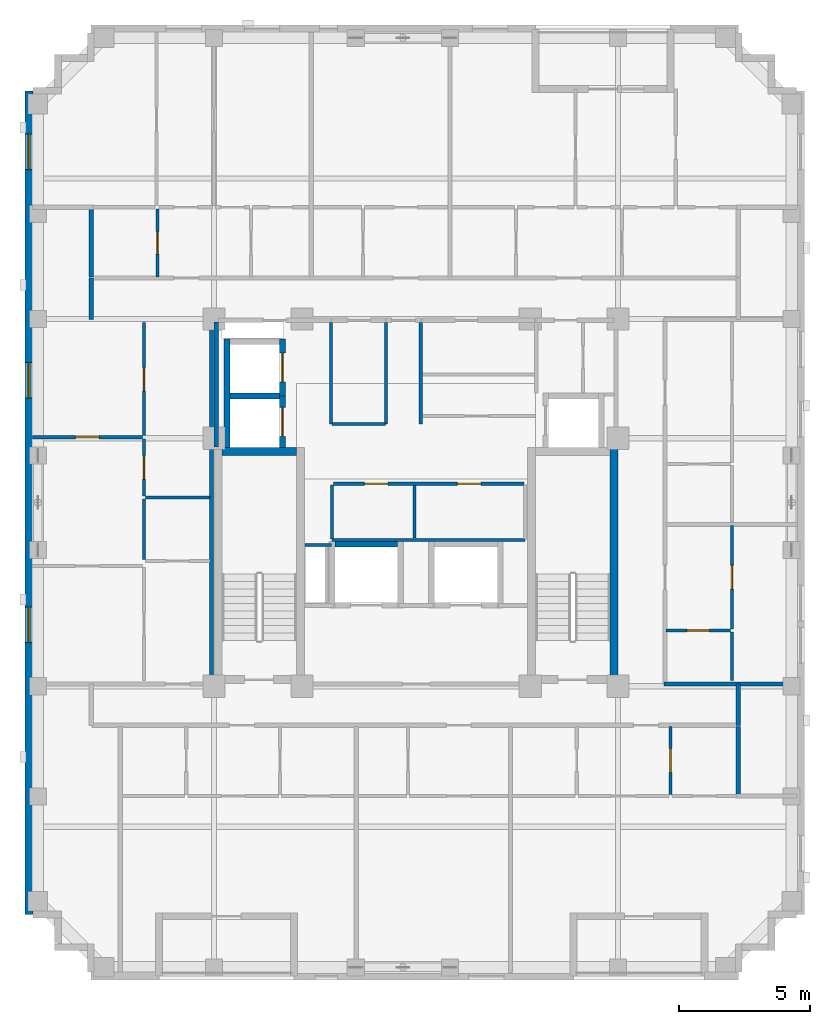
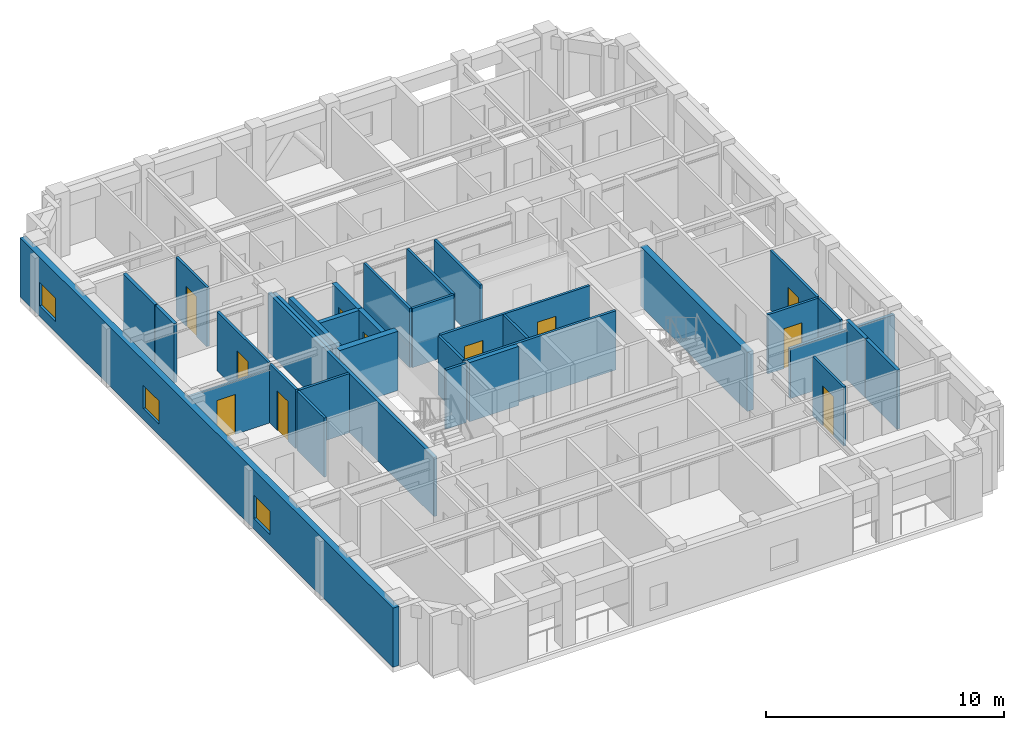
# One storey, part 4 of 11: 34 walls, 11 doors, 3 windows, 14 openings.
"""IFC4 building model written with IfcOpenShell, lengths in metres."""

from ifc_helpers import new_model, si_unit, derived_unit, direction, frame, frame_2d, origin, place, context, subcontext, project, spatial, rectangle, extrude, material, layer, layer_set, type_object, element, fill, save


model = new_model("IFC4")

# Units and contexts
model_context = context("Model", 3, precision=1e-05, world=origin(), true_north=direction((0.0, 1.0)))
body_context = subcontext(model_context, "Body", "Model", "MODEL_VIEW")
ifc_project = project(units=[si_unit("LENGTHUNIT", "METRE"), si_unit("AREAUNIT", "SQUARE_METRE"), si_unit("VOLUMEUNIT", "CUBIC_METRE"), si_unit("PLANEANGLEUNIT", "RADIAN"), si_unit("MASSUNIT", "GRAM", prefix="KILO"), derived_unit("THERMALTRANSMITTANCEUNIT", [(si_unit("MASSUNIT", "GRAM", prefix="KILO"), 1), (si_unit("TIMEUNIT", "SECOND"), -3), (si_unit("THERMODYNAMICTEMPERATUREUNIT", "KELVIN"), -1)])], contexts=[model_context])

# Site, building, storey
site_placement = place(None, origin())
site = spatial("IfcSite", under=ifc_project, at=site_placement, CompositionType="ELEMENT")
building_placement = place(site_placement, origin())
building = spatial("IfcBuilding", under=site, at=building_placement, Name="Korrvale Station Residences", CompositionType="ELEMENT")
storey_placement = place(building_placement, frame((0.0, 0.0, 214.0)))
storey = spatial("IfcBuildingStorey", under=building, at=storey_placement, Name="L62", CompositionType="ELEMENT", Elevation=214.0)

# Walls
ifc_material_1 = material(Name="Concrete C50/60", Category="concrete")
ifc_layer_1 = layer(ifc_material_1, 0.300048828125, Name="Concrete C50/60")
ifc_layer_set_1 = layer_set([ifc_layer_1], Name="Concrete C50/60")
wall_type_1 = type_object("IfcWallType", Name="WAL-CORE-300-C50", PredefinedType="SHEAR", material=ifc_layer_set_1)
wall_1_placement = place(storey_placement, frame((18.10009765625, 23.949951171875, 0.0), z_axis=(0.0, 0.0, 1.0), x_axis=(1.0, 0.0, 0.0)))
element("IfcWall", 1, at=wall_1_placement, inside=storey, type_object=wall_type_1, Name="L62 ST-1 Core Shear Wall North", PredefinedType="SHEAR", context=body_context, shape_type="SweptSolid", body=[
    extrude(rectangle(XDim=2.849853515625, YDim=0.300048828125, at=frame_2d((1.4248046875, 0.0))), origin(), (0.0, 0.0, 1.0), 3.0400390625),
])
wall_2_placement = place(storey_placement, frame((33.050048828125, 15.10009765625, 0.0), z_axis=(0.0, 0.0, 1.0), x_axis=(0.0, 1.0, 0.0)))
element("IfcWall", 2, at=wall_2_placement, inside=storey, type_object=wall_type_1, Name="L62 ST-2 Core Shear Wall East", PredefinedType="SHEAR", context=body_context, shape_type="SweptSolid", body=[
    extrude(rectangle(XDim=9.0, YDim=0.300048828125, at=frame_2d((4.5, 0.0))), origin(), (0.0, 0.0, 1.0), 3.0400390625),
])

# Wall, openings, windows
ifc_material_2 = material(Name="Precast concrete C45/55", Category="concrete")
ifc_layer_2 = layer(ifc_material_2, 0.300048828125, Name="Precast concrete C45/55")
ifc_layer_set_2 = layer_set([ifc_layer_2], Name="Precast concrete C45/55")
wall_type_2 = type_object("IfcWallType", Name="WAL-EXT-PC300", PredefinedType="SOLIDWALL", material=ifc_layer_set_2)
wall_3_placement = place(storey_placement, frame((10.75, 6.300048828125, 0.0), z_axis=(0.0, 0.0, 1.0), x_axis=(0.0, 1.0, 0.0)))
wall_3 = element("IfcWall", 3, at=wall_3_placement, inside=storey, type_object=wall_type_2, Name="L62 West Exterior Precast Wall 1", PredefinedType="SOLIDWALL", context=body_context, shape_type="SweptSolid", body=[
    extrude(rectangle(XDim=31.39990234375, YDim=0.300048828125, at=frame_2d((15.699951171875, 0.0))), origin(), (0.0, 0.0, 1.0), 3.0400390625),
])
opening_1_placement = place(wall_3_placement, frame((28.39599609375, 0.0, 0.550048828125)))
opening_1 = element("IfcOpeningElement", 4, at=opening_1_placement, cuts=wall_3, Name="Opening W-10", PredefinedType="OPENING", context=body_context, shape_type="SweptSolid", body=[
    extrude(rectangle(XDim=1.35009765625, YDim=1.199951171875, at=frame_2d((0.675048828125, 0.60009765625))), frame((0.0, 0.16015625, 0.0), z_axis=(0.0, -1.0, 0.0), x_axis=(1.0, 0.0, 0.0)), (0.0, 0.0, 1.0), 0.320068359375),
])
opening_2_placement = place(wall_3_placement, frame((10.366943359375, 0.0, 0.550048828125)))
opening_2 = element("IfcOpeningElement", 5, at=opening_2_placement, cuts=wall_3, Name="Opening W-10", PredefinedType="OPENING", context=body_context, shape_type="SweptSolid", body=[
    extrude(rectangle(XDim=1.35009765625, YDim=1.199951171875, at=frame_2d((0.675048828125, 0.60009765625))), frame((0.0, 0.16015625, 0.0), z_axis=(0.0, -1.0, 0.0), x_axis=(1.0, 0.0, 0.0)), (0.0, 0.0, 1.0), 0.320068359375),
])
opening_3_placement = place(wall_3_placement, frame((19.68310546875, 0.0, 0.550048828125)))
opening_3 = element("IfcOpeningElement", 6, at=opening_3_placement, cuts=wall_3, Name="Opening W-10", PredefinedType="OPENING", context=body_context, shape_type="SweptSolid", body=[
    extrude(rectangle(XDim=1.35009765625, YDim=1.199951171875, at=frame_2d((0.675048828125, 0.60009765625))), frame((0.0, 0.16015625, 0.0), z_axis=(0.0, -1.0, 0.0), x_axis=(1.0, 0.0, 0.0)), (0.0, 0.0, 1.0), 0.320068359375),
])
ifc_material_3 = material(Name="Thermally broken aluminium frame with triple low-e glazing", Category="aluminium")
window_type = type_object("IfcWindowType", Name="WIN-W10", PartitioningType="SINGLE_PANEL", PredefinedType="WINDOW", material=ifc_material_3)
window_1_placement = place(opening_1_placement, origin())
window_1 = element("IfcWindow", 7, at=window_1_placement, inside=storey, type_object=window_type, Name="L62 Punched Window 04", OverallHeight=1.199951171875, OverallWidth=1.35009765625, PartitioningType="SINGLE_PANEL", PredefinedType="WINDOW", context=body_context, shape_type="SweptSolid", body=[
    extrude(rectangle(XDim=1.35009765625, YDim=1.199951171875, at=frame_2d((0.675048828125, 0.60009765625))), frame((0.0, 0.030029296875, 0.0), z_axis=(0.0, -1.0, 0.0), x_axis=(1.0, 0.0, 0.0)), (0.0, 0.0, 1.0), 0.06005859375),
])
fill(opening_1, window_1)
window_2_placement = place(opening_2_placement, origin())
window_2 = element("IfcWindow", 8, at=window_2_placement, inside=storey, type_object=window_type, Name="L62 Punched Window 11", OverallHeight=1.199951171875, OverallWidth=1.35009765625, PartitioningType="SINGLE_PANEL", PredefinedType="WINDOW", context=body_context, shape_type="SweptSolid", body=[
    extrude(rectangle(XDim=1.35009765625, YDim=1.199951171875, at=frame_2d((0.675048828125, 0.60009765625))), frame((0.0, 0.030029296875, 0.0), z_axis=(0.0, -1.0, 0.0), x_axis=(1.0, 0.0, 0.0)), (0.0, 0.0, 1.0), 0.06005859375),
])
fill(opening_2, window_2)
window_3_placement = place(opening_3_placement, origin())
window_3 = element("IfcWindow", 9, at=window_3_placement, inside=storey, type_object=window_type, Name="L62 Punched Window 12", OverallHeight=1.199951171875, OverallWidth=1.35009765625, PartitioningType="SINGLE_PANEL", PredefinedType="WINDOW", context=body_context, shape_type="SweptSolid", body=[
    extrude(rectangle(XDim=1.35009765625, YDim=1.199951171875, at=frame_2d((0.675048828125, 0.60009765625))), frame((0.0, 0.030029296875, 0.0), z_axis=(0.0, -1.0, 0.0), x_axis=(1.0, 0.0, 0.0)), (0.0, 0.0, 1.0), 0.06005859375),
])
fill(opening_3, window_3)

# Walls
ifc_material_4 = material(Name="Acoustic steel-stud gypsum board partition", Category="steel")
ifc_layer_3 = layer(ifc_material_4, 0.1201171875, Name="Acoustic steel-stud gypsum board partition")
ifc_layer_set_3 = layer_set([ifc_layer_3], Name="Acoustic steel-stud gypsum board partition")
wall_type_3 = type_object("IfcWallType", Name="WAL-PART-125", PredefinedType="PARTITIONING", material=ifc_layer_set_3)
wall_4_placement = place(storey_placement, frame((22.280029296875, 20.3798828125, 0.0), z_axis=(0.0, 0.0, 1.0), x_axis=(-1.0, 0.0, 0.0)))
element("IfcWall", 10, at=wall_4_placement, inside=storey, type_object=wall_type_3, Name="L62 Core Partition CW-RSWT-N", PredefinedType="PARTITIONING", context=body_context, shape_type="SweptSolid", body=[
    extrude(rectangle(XDim=1.02001953125, YDim=0.1201171875, at=frame_2d((0.510009765625, 0.0))), origin(), (0.0, 0.0, 1.0), 3.0400390625),
])
for number, where, z_axis, x_axis, name in (
    (11, (24.360107421875, 25.0, 0.0), (0.0, 0.0, 1.0), (0.0, 1.0, 0.0), "L62 Core Partition CW-PSG-W"),
    (12, (25.679931640625, 25.0, 0.0), (0.0, 0.0, 1.0), (0.0, 1.0, 0.0), "L62 Core Partition CW-PSG-E"),
):
    element("IfcWall", number, at=place(storey_placement, frame(where, z_axis=z_axis, x_axis=x_axis)), inside=storey, type_object=wall_type_3, Name=name, PredefinedType="PARTITIONING", context=body_context, shape_type="SweptSolid", body=[
        extrude(rectangle(XDim=3.8701171875, YDim=0.1201171875, at=frame_2d((1.93505859375, 0.0))), origin(), (0.0, 0.0, 1.0), 3.0400390625),
    ])
wall_5_placement = place(storey_placement, frame((22.260009765625, 25.0, 0.0), z_axis=(0.0, 0.0, 1.0), x_axis=(0.0, 1.0, 0.0)))
element("IfcWall", 13, at=wall_5_placement, inside=storey, type_object=wall_type_3, Name="L62 Core Partition CW-FPLW-W", PredefinedType="PARTITIONING", context=body_context, shape_type="SweptSolid", body=[
    extrude(rectangle(XDim=3.860107421875, YDim=0.1201171875, at=frame_2d((1.93017578125, 0.0))), origin(), (0.0, 0.0, 1.0), 3.0400390625),
])
wall_6_placement = place(storey_placement, frame((22.300048828125, 25.0, 0.0), z_axis=(0.0, 0.0, 1.0), x_axis=(1.0, 0.0, 0.0)))
element("IfcWall", 14, at=wall_6_placement, inside=storey, type_object=wall_type_3, Name="L62 Core Partition CW-FPLW-S", PredefinedType="PARTITIONING", context=body_context, shape_type="SweptSolid", body=[
    extrude(rectangle(XDim=2.0400390625, YDim=0.1201171875, at=frame_2d((1.02001953125, 0.0))), origin(), (0.0, 0.0, 1.0), 3.0400390625),
])
wall_7_placement = place(storey_placement, frame((22.300048828125, 20.580078125, 0.0), z_axis=(0.0, 0.0, 1.0), x_axis=(1.0, 0.0, 0.0)))
element("IfcWall", 15, at=wall_7_placement, inside=storey, type_object=wall_type_3, Name="L62 Core Partition CW-FPM-S", PredefinedType="PARTITIONING", context=body_context, shape_type="SweptSolid", body=[
    extrude(rectangle(XDim=7.349853515625, YDim=0.1201171875, at=frame_2d((3.6748046875, 0.0))), origin(), (0.0, 0.0, 1.0), 3.0400390625),
])
wall_8_placement = place(storey_placement, frame((22.300048828125, 20.6201171875, 0.0), z_axis=(0.0, 0.0, 1.0), x_axis=(0.0, 1.0, 0.0)))
element("IfcWall", 16, at=wall_8_placement, inside=storey, type_object=wall_type_3, Name="L62 Core Partition CW-FPM-W", PredefinedType="PARTITIONING", context=body_context, shape_type="SweptSolid", body=[
    extrude(rectangle(XDim=2.059814453125, YDim=0.1201171875, at=frame_2d((1.02978515625, 0.0))), origin(), (0.0, 0.0, 1.0), 3.0400390625),
])
wall_9_placement = place(storey_placement, frame((25.43994140625, 20.64990234375, 0.0), z_axis=(0.0, 0.0, 1.0), x_axis=(0.0, 1.0, 0.0)))
element("IfcWall", 17, at=wall_9_placement, inside=storey, type_object=wall_type_3, Name="L62 Core Partition CW-FPM-M", PredefinedType="PARTITIONING", context=body_context, shape_type="SweptSolid", body=[
    extrude(rectangle(XDim=2.0, YDim=0.1201171875, at=frame_2d((1.0, 0.0))), origin(), (0.0, 0.0, 1.0), 3.0400390625),
])

# Wall, openings, doors
wall_10_placement = place(storey_placement, frame((22.35009765625, 22.719970703125, 0.0), z_axis=(0.0, 0.0, 1.0), x_axis=(1.0, 0.0, 0.0)))
wall_10 = element("IfcWall", 18, at=wall_10_placement, inside=storey, type_object=wall_type_3, Name="L62 Core Partition CW-FPM-N", PredefinedType="PARTITIONING", context=body_context, shape_type="SweptSolid", body=[
    extrude(rectangle(XDim=7.27001953125, YDim=0.1201171875, at=frame_2d((3.635009765625, 0.0))), origin(), (0.0, 0.0, 1.0), 3.0400390625),
])
opening_4_placement = place(wall_10_placement, frame((1.175048828125, 0.0, 0.0)))
opening_4 = element("IfcOpeningElement", 19, at=opening_4_placement, cuts=wall_10, Name="Opening DI-900", PredefinedType="OPENING", context=body_context, shape_type="SweptSolid", body=[
    extrude(rectangle(XDim=0.89990234375, YDim=2.050048828125, at=frame_2d((0.449951171875, 1.02490234375))), frame((0.0, 0.070068359375, 0.0), z_axis=(0.0, -1.0, 0.0), x_axis=(1.0, 0.0, 0.0)), (0.0, 0.0, 1.0), 0.14013671875),
])
opening_5_placement = place(wall_10_placement, frame((4.72509765625, 0.0, 0.0)))
opening_5 = element("IfcOpeningElement", 20, at=opening_5_placement, cuts=wall_10, Name="Opening DI-900", PredefinedType="OPENING", context=body_context, shape_type="SweptSolid", body=[
    extrude(rectangle(XDim=0.89990234375, YDim=2.050048828125, at=frame_2d((0.449951171875, 1.02490234375))), frame((0.0, 0.070068359375, 0.0), z_axis=(0.0, -1.0, 0.0), x_axis=(1.0, 0.0, 0.0)), (0.0, 0.0, 1.0), 0.14013671875),
])
ifc_material_5 = material(Name="Painted solid-core timber interior room door", Category="wood")
door_type_1 = type_object("IfcDoorType", Name="DR-INT-900", OperationType="NOTDEFINED", PredefinedType="DOOR", material=ifc_material_5)
door_1_placement = place(opening_4_placement, origin())
door_1 = element("IfcDoor", 21, at=door_1_placement, inside=storey, type_object=door_type_1, Name="L62 Sky Pantry Door", OperationType="SINGLE_SWING_LEFT", OverallHeight=2.050048828125, OverallWidth=0.89990234375, PredefinedType="DOOR", context=body_context, shape_type="SweptSolid", body=[
    extrude(rectangle(XDim=0.89990234375, YDim=2.050048828125, at=frame_2d((0.449951171875, 1.02490234375))), frame((0.0, 0.02490234375, 0.0), z_axis=(0.0, -1.0, 0.0), x_axis=(1.0, 0.0, 0.0)), (0.0, 0.0, 1.0), 0.050048828125),
])
fill(opening_4, door_1)
door_2_placement = place(opening_5_placement, origin())
door_2 = element("IfcDoor", 22, at=door_2_placement, inside=storey, type_object=door_type_1, Name="L62 Concierge Supply Door", OperationType="SINGLE_SWING_RIGHT", OverallHeight=2.050048828125, OverallWidth=0.89990234375, PredefinedType="DOOR", context=body_context, shape_type="SweptSolid", body=[
    extrude(rectangle(XDim=0.89990234375, YDim=2.050048828125, at=frame_2d((0.449951171875, 1.02490234375))), frame((0.0, 0.02490234375, 0.0), z_axis=(0.0, -1.0, 0.0), x_axis=(1.0, 0.0, 0.0)), (0.0, 0.0, 1.0), 0.050048828125),
])
fill(opening_5, door_2)

# Wall, opening, door
wall_11_placement = place(storey_placement, frame((35.195068359375, 10.8701171875, 0.0), z_axis=(0.0, 0.0, 1.0), x_axis=(0.0, 1.0, 0.0)))
wall_11 = element("IfcWall", 23, at=wall_11_placement, inside=storey, type_object=wall_type_3, Name="L62 Suite Partition U03-V12", PredefinedType="PARTITIONING", context=body_context, shape_type="SweptSolid", body=[
    extrude(rectangle(XDim=2.599853515625, YDim=0.1201171875, at=frame_2d((1.2998046875, 0.0))), origin(), (0.0, 0.0, 1.0), 3.0400390625),
])
opening_6_placement = place(wall_11_placement, frame((0.85009765625, 0.0, 0.0)))
opening_6 = element("IfcOpeningElement", 24, at=opening_6_placement, cuts=wall_11, Name="Opening DI-900", PredefinedType="OPENING", context=body_context, shape_type="SweptSolid", body=[
    extrude(rectangle(XDim=0.89990234375, YDim=2.050048828125, at=frame_2d((0.449951171875, 1.02490234375))), frame((0.0, 0.070068359375, 0.0), z_axis=(0.0, -1.0, 0.0), x_axis=(1.0, 0.0, 0.0)), (0.0, 0.0, 1.0), 0.14013671875),
])
door_3_placement = place(opening_6_placement, origin())
door_3 = element("IfcDoor", 25, at=door_3_placement, inside=storey, type_object=door_type_1, Name="L62 Studio Apartment L62-U03 Kitchen Door", OperationType="SINGLE_SWING_RIGHT", OverallHeight=2.050048828125, OverallWidth=0.89990234375, PredefinedType="DOOR", context=body_context, shape_type="SweptSolid", body=[
    extrude(rectangle(XDim=0.89990234375, YDim=2.050048828125, at=frame_2d((0.449951171875, 1.02490234375))), frame((0.0, 0.02490234375, 0.0), z_axis=(0.0, -1.0, 0.0), x_axis=(1.0, 0.0, 0.0)), (0.0, 0.0, 1.0), 0.050048828125),
])
fill(opening_6, door_3)

wall_12_placement = place(storey_placement, frame((15.639892578125, 30.60009765625, 0.0), z_axis=(0.0, 0.0, 1.0), x_axis=(0.0, 1.0, 0.0)))
wall_12 = element("IfcWall", 26, at=wall_12_placement, inside=storey, type_object=wall_type_3, Name="L62 Suite Partition U04-V01", PredefinedType="PARTITIONING", context=body_context, shape_type="SweptSolid", body=[
    extrude(rectangle(XDim=2.599853515625, YDim=0.1201171875, at=frame_2d((1.2998046875, 0.0))), origin(), (0.0, 0.0, 1.0), 3.0400390625),
])
opening_7_placement = place(wall_12_placement, frame((0.8701171875, 0.0, 0.0)))
opening_7 = element("IfcOpeningElement", 27, at=opening_7_placement, cuts=wall_12, Name="Opening DB-860", PredefinedType="OPENING", context=body_context, shape_type="SweptSolid", body=[
    extrude(rectangle(XDim=0.860107421875, YDim=2.050048828125, at=frame_2d((0.43017578125, 1.02490234375))), frame((0.0, 0.070068359375, 0.0), z_axis=(0.0, -1.0, 0.0), x_axis=(1.0, 0.0, 0.0)), (0.0, 0.0, 1.0), 0.14013671875),
])
ifc_material_6 = material(Name="Moisture-resistant solid-core bathroom door", Category="timber")
door_type_2 = type_object("IfcDoorType", Name="DR-BATH-860", OperationType="NOTDEFINED", PredefinedType="DOOR", material=ifc_material_6)
door_4_placement = place(opening_7_placement, origin())
door_4 = element("IfcDoor", 28, at=door_4_placement, inside=storey, type_object=door_type_2, Name="L62 Apartment 2BR L62-U04 Bathroom Door", OperationType="SINGLE_SWING_LEFT", OverallHeight=2.050048828125, OverallWidth=0.860107421875, PredefinedType="DOOR", context=body_context, shape_type="SweptSolid", body=[
    extrude(rectangle(XDim=0.860107421875, YDim=2.050048828125, at=frame_2d((0.43017578125, 1.02490234375))), frame((0.0, 0.02490234375, 0.0), z_axis=(0.0, -1.0, 0.0), x_axis=(1.0, 0.0, 0.0)), (0.0, 0.0, 1.0), 0.050048828125),
])
fill(opening_7, door_4)

# Wall
wall_13_placement = place(storey_placement, frame((15.18994140625, 22.18994140625, 0.0), z_axis=(0.0, 0.0, 1.0), x_axis=(1.0, 0.0, 0.0)))
element("IfcWall", 29, at=wall_13_placement, inside=storey, type_object=wall_type_3, Name="L62 Suite Partition U07-H01", PredefinedType="PARTITIONING", context=body_context, shape_type="SweptSolid", body=[
    extrude(rectangle(XDim=2.449951171875, YDim=0.1201171875, at=frame_2d((1.22509765625, 0.0))), origin(), (0.0, 0.0, 1.0), 3.0400390625),
])

# Wall, opening, door
wall_14_placement = place(storey_placement, frame((15.1298828125, 22.25, 0.0), z_axis=(0.0, 0.0, 1.0), x_axis=(0.0, 1.0, 0.0)))
wall_14 = element("IfcWall", 30, at=wall_14_placement, inside=storey, type_object=wall_type_3, Name="L62 Suite Partition U07-V04", PredefinedType="PARTITIONING", context=body_context, shape_type="SweptSolid", body=[
    extrude(rectangle(XDim=2.181884765625, YDim=0.1201171875, at=frame_2d((1.0908203125, 0.0))), origin(), (0.0, 0.0, 1.0), 3.0400390625),
])
opening_8_placement = place(wall_14_placement, frame((0.64111328125, 0.0, 0.0)))
opening_8 = element("IfcOpeningElement", 31, at=opening_8_placement, cuts=wall_14, Name="Opening DI-900", PredefinedType="OPENING", context=body_context, shape_type="SweptSolid", body=[
    extrude(rectangle(XDim=0.89990234375, YDim=2.050048828125, at=frame_2d((0.449951171875, 1.02490234375))), frame((0.0, 0.070068359375, 0.0), z_axis=(0.0, -1.0, 0.0), x_axis=(1.0, 0.0, 0.0)), (0.0, 0.0, 1.0), 0.14013671875),
])
door_5_placement = place(opening_8_placement, origin())
door_5 = element("IfcDoor", 32, at=door_5_placement, inside=storey, type_object=door_type_1, Name="L62 Apartment 2BR L62-U07 Wardrobe Storage Room Door", OperationType="SINGLE_SWING_LEFT", OverallHeight=2.050048828125, OverallWidth=0.89990234375, PredefinedType="DOOR", context=body_context, shape_type="SweptSolid", body=[
    extrude(rectangle(XDim=0.89990234375, YDim=2.050048828125, at=frame_2d((0.449951171875, 1.02490234375))), frame((0.0, 0.02490234375, 0.0), z_axis=(0.0, -1.0, 0.0), x_axis=(1.0, 0.0, 0.0)), (0.0, 0.0, 1.0), 0.050048828125),
])
fill(opening_8, door_5)

wall_15_placement = place(storey_placement, frame((15.1298828125, 24.552001953125, 0.0), z_axis=(0.0, 0.0, 1.0), x_axis=(0.0, 1.0, 0.0)))
wall_15 = element("IfcWall", 33, at=wall_15_placement, inside=storey, type_object=wall_type_3, Name="L62 Suite Partition U07-V05", PredefinedType="PARTITIONING", context=body_context, shape_type="SweptSolid", body=[
    extrude(rectangle(XDim=4.30810546875, YDim=0.1201171875, at=frame_2d((2.154052734375, 0.0))), origin(), (0.0, 0.0, 1.0), 3.0400390625),
])
opening_9_placement = place(wall_15_placement, frame((1.7041015625, 0.0, 0.0)))
opening_9 = element("IfcOpeningElement", 34, at=opening_9_placement, cuts=wall_15, Name="Opening DI-900", PredefinedType="OPENING", context=body_context, shape_type="SweptSolid", body=[
    extrude(rectangle(XDim=0.89990234375, YDim=2.050048828125, at=frame_2d((0.449951171875, 1.02490234375))), frame((0.0, 0.070068359375, 0.0), z_axis=(0.0, -1.0, 0.0), x_axis=(1.0, 0.0, 0.0)), (0.0, 0.0, 1.0), 0.14013671875),
])
door_6_placement = place(opening_9_placement, origin())
door_6 = element("IfcDoor", 35, at=door_6_placement, inside=storey, type_object=door_type_1, Name="L62 Apartment 2BR L62-U07 Wardrobe Storage Room Door", OperationType="SINGLE_SWING_RIGHT", OverallHeight=2.050048828125, OverallWidth=0.89990234375, PredefinedType="DOOR", context=body_context, shape_type="SweptSolid", body=[
    extrude(rectangle(XDim=0.89990234375, YDim=2.050048828125, at=frame_2d((0.449951171875, 1.02490234375))), frame((0.0, 0.02490234375, 0.0), z_axis=(0.0, -1.0, 0.0), x_axis=(1.0, 0.0, 0.0)), (0.0, 0.0, 1.0), 0.050048828125),
])
fill(opening_9, door_6)

# Wall
wall_16_placement = place(storey_placement, frame((15.1298828125, 19.830078125, 0.0), z_axis=(0.0, 0.0, 1.0), x_axis=(0.0, 1.0, 0.0)))
element("IfcWall", 36, at=wall_16_placement, inside=storey, type_object=wall_type_3, Name="L62 Suite Partition U07-V14", PredefinedType="PARTITIONING", context=body_context, shape_type="SweptSolid", body=[
    extrude(rectangle(XDim=2.2998046875, YDim=0.1201171875, at=frame_2d((1.14990234375, 0.0))), origin(), (0.0, 0.0, 1.0), 3.0400390625),
])

# Wall, opening, door
wall_17_placement = place(storey_placement, frame((10.8798828125, 24.491943359375, 0.0), z_axis=(0.0, 0.0, 1.0), x_axis=(1.0, 0.0, 0.0)))
wall_17 = element("IfcWall", 37, at=wall_17_placement, inside=storey, type_object=wall_type_3, Name="L62 Suite Partition U07-H45", PredefinedType="PARTITIONING", context=body_context, shape_type="SweptSolid", body=[
    extrude(rectangle(XDim=4.190185546875, YDim=0.1201171875, at=frame_2d((2.09521484375, 0.0))), origin(), (0.0, 0.0, 1.0), 2.721923828125),
])
opening_10_placement = place(wall_17_placement, frame((1.6298828125, 0.0, 0.0)))
opening_10 = element("IfcOpeningElement", 38, at=opening_10_placement, cuts=wall_17, Name="Opening DI-900", PredefinedType="OPENING", context=body_context, shape_type="SweptSolid", body=[
    extrude(rectangle(XDim=0.89990234375, YDim=2.050048828125, at=frame_2d((0.449951171875, 1.02490234375))), frame((0.0, 0.070068359375, 0.0), z_axis=(0.0, -1.0, 0.0), x_axis=(1.0, 0.0, 0.0)), (0.0, 0.0, 1.0), 0.14013671875),
])
door_7_placement = place(opening_10_placement, origin())
door_7 = element("IfcDoor", 39, at=door_7_placement, inside=storey, type_object=door_type_1, Name="L62 Apartment 2BR L62-U07 Living and Dining Room Door", OperationType="SINGLE_SWING_RIGHT", OverallHeight=2.050048828125, OverallWidth=0.89990234375, PredefinedType="DOOR", context=body_context, shape_type="SweptSolid", body=[
    extrude(rectangle(XDim=0.89990234375, YDim=2.050048828125, at=frame_2d((0.449951171875, 1.02490234375))), frame((0.0, 0.02490234375, 0.0), z_axis=(0.0, -1.0, 0.0), x_axis=(1.0, 0.0, 0.0)), (0.0, 0.0, 1.0), 0.050048828125),
])
fill(opening_10, door_7)

wall_18_placement = place(storey_placement, frame((35.030029296875, 17.1201171875, 0.0), z_axis=(0.0, 0.0, 1.0), x_axis=(1.0, 0.0, 0.0)))
wall_18 = element("IfcWall", 40, at=wall_18_placement, inside=storey, type_object=wall_type_3, Name="L62 Suite Partition U08-H01", PredefinedType="PARTITIONING", context=body_context, shape_type="SweptSolid", body=[
    extrude(rectangle(XDim=2.449951171875, YDim=0.1201171875, at=frame_2d((1.22509765625, 0.0))), origin(), (0.0, 0.0, 1.0), 3.0400390625),
])
opening_11_placement = place(wall_18_placement, frame((0.794921875, 0.0, 0.0)))
opening_11 = element("IfcOpeningElement", 41, at=opening_11_placement, cuts=wall_18, Name="Opening DB-860", PredefinedType="OPENING", context=body_context, shape_type="SweptSolid", body=[
    extrude(rectangle(XDim=0.860107421875, YDim=2.050048828125, at=frame_2d((0.43017578125, 1.02490234375))), frame((0.0, 0.070068359375, 0.0), z_axis=(0.0, -1.0, 0.0), x_axis=(1.0, 0.0, 0.0)), (0.0, 0.0, 1.0), 0.14013671875),
])
door_8_placement = place(opening_11_placement, origin())
door_8 = element("IfcDoor", 42, at=door_8_placement, inside=storey, type_object=door_type_2, Name="L62 Apartment 1BR L62-U08 Bathroom Door", OperationType="SINGLE_SWING_LEFT", OverallHeight=2.050048828125, OverallWidth=0.860107421875, PredefinedType="DOOR", context=body_context, shape_type="SweptSolid", body=[
    extrude(rectangle(XDim=0.860107421875, YDim=2.050048828125, at=frame_2d((0.43017578125, 1.02490234375))), frame((0.0, 0.02490234375, 0.0), z_axis=(0.0, -1.0, 0.0), x_axis=(1.0, 0.0, 0.0)), (0.0, 0.0, 1.0), 0.050048828125),
])
fill(opening_11, door_8)

# Wall
wall_19_placement = place(storey_placement, frame((37.5400390625, 15.2099609375, 0.0), z_axis=(0.0, 0.0, 1.0), x_axis=(0.0, 1.0, 0.0)))
element("IfcWall", 43, at=wall_19_placement, inside=storey, type_object=wall_type_3, Name="L62 Suite Partition U08-V02", PredefinedType="PARTITIONING", context=body_context, shape_type="SweptSolid", body=[
    extrude(rectangle(XDim=1.85009765625, YDim=0.1201171875, at=frame_2d((0.925048828125, 0.0))), origin(), (0.0, 0.0, 1.0), 3.0400390625),
])

# Wall, opening, door
wall_20_placement = place(storey_placement, frame((37.5400390625, 17.179931640625, 0.0), z_axis=(0.0, 0.0, 1.0), x_axis=(0.0, 1.0, 0.0)))
wall_20 = element("IfcWall", 44, at=wall_20_placement, inside=storey, type_object=wall_type_3, Name="L62 Suite Partition U08-V12", PredefinedType="PARTITIONING", context=body_context, shape_type="SweptSolid", body=[
    extrude(rectangle(XDim=3.946044921875, YDim=0.1201171875, at=frame_2d((1.97314453125, 0.0))), origin(), (0.0, 0.0, 1.0), 3.0400390625),
])
opening_12_placement = place(wall_20_placement, frame((1.52294921875, 0.0, 0.0)))
opening_12 = element("IfcOpeningElement", 45, at=opening_12_placement, cuts=wall_20, Name="Opening DI-900", PredefinedType="OPENING", context=body_context, shape_type="SweptSolid", body=[
    extrude(rectangle(XDim=0.89990234375, YDim=2.050048828125, at=frame_2d((0.449951171875, 1.02490234375))), frame((0.0, 0.070068359375, 0.0), z_axis=(0.0, -1.0, 0.0), x_axis=(1.0, 0.0, 0.0)), (0.0, 0.0, 1.0), 0.14013671875),
])
door_9_placement = place(opening_12_placement, origin())
door_9 = element("IfcDoor", 46, at=door_9_placement, inside=storey, type_object=door_type_1, Name="L62 Apartment 1BR L62-U08 Kitchen Door", OperationType="SINGLE_SWING_RIGHT", OverallHeight=2.050048828125, OverallWidth=0.89990234375, PredefinedType="DOOR", context=body_context, shape_type="SweptSolid", body=[
    extrude(rectangle(XDim=0.89990234375, YDim=2.050048828125, at=frame_2d((0.449951171875, 1.02490234375))), frame((0.0, 0.02490234375, 0.0), z_axis=(0.0, -1.0, 0.0), x_axis=(1.0, 0.0, 0.0)), (0.0, 0.0, 1.0), 0.050048828125),
])
fill(opening_12, door_9)

# Walls
ifc_material_7 = material(Name="Fire-rated twin-stud gypsum and mineral wool shaftwall assembly", Category="gypsum")
ifc_layer_4 = layer(ifc_material_7, 0.159912109375, Name="Fire-rated twin-stud gypsum and mineral wool shaftwall assembly")
ifc_layer_set_4 = layer_set([ifc_layer_4], Name="Fire-rated twin-stud gypsum and mineral wool shaftwall assembly")
wall_type_4 = type_object("IfcWallType", Name="WAL-PART-200", PredefinedType="PARTITIONING", material=ifc_layer_set_4)
wall_21_placement = place(storey_placement, frame((17.8798828125, 24.1201171875, 0.0), z_axis=(0.0, 0.0, 1.0), x_axis=(0.0, 1.0, 0.0)))
element("IfcWall", 47, at=wall_21_placement, inside=storey, type_object=wall_type_4, Name="L62 Core Partition CW-W-N", PredefinedType="PARTITIONING", context=body_context, shape_type="SweptSolid", body=[
    extrude(rectangle(XDim=4.759765625, YDim=0.159912109375, at=frame_2d((2.3798828125, 0.0))), origin(), (0.0, 0.0, 1.0), 3.0400390625),
])
for number, where, z_axis, x_axis, name in (
    (48, (37.780029296875, 13.510009765625, 0.0), (0.0, 0.0, 1.0), (0.0, 1.0, 0.0), "L62 Corridor South East Cap"),
    (49, (13.1201171875, 28.97998046875, 0.0), (0.0, 0.0, 1.0), (0.0, 1.0, 0.0), "L62 Corridor North West Cap"),
):
    element("IfcWall", number, at=place(storey_placement, frame(where, z_axis=z_axis, x_axis=x_axis)), inside=storey, type_object=wall_type_4, Name=name, PredefinedType="PARTITIONING", context=body_context, shape_type="SweptSolid", body=[
        extrude(rectangle(XDim=1.580078125, YDim=0.159912109375, at=frame_2d((0.7900390625, 0.0))), origin(), (0.0, 0.0, 1.0), 3.0400390625),
    ])
wall_22_placement = place(storey_placement, frame((34.949951171875, 15.090087890625, 0.0), z_axis=(0.0, 0.0, 1.0), x_axis=(1.0, 0.0, 0.0)))
element("IfcWall", 50, at=wall_22_placement, inside=storey, type_object=wall_type_4, Name="L62 East Wing South Corridor Wall", PredefinedType="PARTITIONING", context=body_context, shape_type="SweptSolid", body=[
    extrude(rectangle(XDim=5.070068359375, YDim=0.159912109375, at=frame_2d((2.53515625, 0.0))), origin(), (0.0, 0.0, 1.0), 2.555908203125),
])
for number, where, z_axis, x_axis, name in (
    (51, (37.780029296875, 10.81005859375, 0.0), (0.0, 0.0, 1.0), (0.0, 1.0, 0.0), "L62 Corner Step Cheek U03-R"),
    (52, (13.1201171875, 30.60009765625, 0.0), (0.0, 0.0, 1.0), (0.0, 1.0, 0.0), "L62 Corner Step Cheek U04-L"),
):
    element("IfcWall", number, at=place(storey_placement, frame(where, z_axis=z_axis, x_axis=x_axis)), inside=storey, type_object=wall_type_4, Name=name, PredefinedType="PARTITIONING", context=body_context, shape_type="SweptSolid", body=[
        extrude(rectangle(XDim=2.659912109375, YDim=0.159912109375, at=frame_2d((1.330078125, 0.0))), origin(), (0.0, 0.0, 1.0), 3.0400390625),
    ])
wall_23_placement = place(storey_placement, frame((17.699951171875, 15.02001953125, 0.0), z_axis=(0.0, 0.0, 1.0), x_axis=(0.0, 1.0, 0.0)))
element("IfcWall", 53, at=wall_23_placement, inside=storey, type_object=wall_type_4, Name="L62 Rated Corridor Wall W", PredefinedType="PARTITIONING", context=body_context, shape_type="SweptSolid", body=[
    extrude(rectangle(XDim=13.97998046875, YDim=0.159912109375, at=frame_2d((6.989990234375, 0.0))), origin(), (0.0, 0.0, 1.0), 3.0400390625),
])
ifc_layer_5 = layer(ifc_material_1, 0.219970703125, Name="Concrete C50/60")
ifc_layer_set_5 = layer_set([ifc_layer_5], Name="Concrete C50/60")
wall_type_5 = type_object("IfcWallType", Name="WAL-SHAFT-220-C50", PredefinedType="SHEAR", material=ifc_layer_set_5)
wall_24_placement = place(storey_placement, frame((18.2900390625, 24.10009765625, 0.0), z_axis=(0.0, 0.0, 1.0), x_axis=(0.0, 1.0, 0.0)))
element("IfcWall", 54, at=wall_24_placement, inside=storey, type_object=wall_type_5, Name="L62 Elevator PH-1 Hoistway Wall West", PredefinedType="SHEAR", context=body_context, shape_type="SweptSolid", body=[
    extrude(rectangle(XDim=4.139892578125, YDim=0.219970703125, at=frame_2d((2.06982421875, 0.0))), origin(), (0.0, 0.0, 1.0), 3.0400390625),
])

# Wall, opening, door
wall_25_placement = place(storey_placement, frame((20.409912109375, 24.10009765625, 0.0), z_axis=(0.0, 0.0, 1.0), x_axis=(0.0, 1.0, 0.0)))
wall_25 = element("IfcWall", 55, at=wall_25_placement, inside=storey, type_object=wall_type_5, Name="L62 Elevator PH-1 Hoistway Wall East", PredefinedType="SHEAR", context=body_context, shape_type="SweptSolid", body=[
    extrude(rectangle(XDim=1.9599609375, YDim=0.219970703125, at=frame_2d((0.97998046875, 0.0))), origin(), (0.0, 0.0, 1.0), 3.0400390625),
])
opening_13_placement = place(wall_25_placement, frame((0.429931640625, 0.0, 0.0)))
opening_13 = element("IfcOpeningElement", 56, at=opening_13_placement, cuts=wall_25, Name="Opening LD-1100", PredefinedType="OPENING", context=body_context, shape_type="SweptSolid", body=[
    extrude(rectangle(XDim=1.10009765625, YDim=2.14990234375, at=frame_2d((0.550048828125, 1.074951171875))), frame((0.0, 0.1201171875, 0.0), z_axis=(0.0, -1.0, 0.0), x_axis=(1.0, 0.0, 0.0)), (0.0, 0.0, 1.0), 0.239990234375),
])
ifc_material_8 = material(Name="Brushed stainless-steel elevator landing sliding door", Category="steel")
door_type_3 = type_object("IfcDoorType", Name="DR-LIFT-1100", OperationType="SLIDING_TO_LEFT", PredefinedType="DOOR", material=ifc_material_8)
door_10_placement = place(opening_13_placement, origin())
door_10 = element("IfcDoor", 57, at=door_10_placement, inside=storey, type_object=door_type_3, Name="L62 Elevator PH-1 Sliding Landing Door", OperationType="SLIDING_TO_LEFT", OverallHeight=2.14990234375, OverallWidth=1.10009765625, PredefinedType="DOOR", context=body_context, shape_type="SweptSolid", body=[
    extrude(rectangle(XDim=1.10009765625, YDim=2.14990234375, at=frame_2d((0.550048828125, 1.074951171875))), frame((0.0, 0.02490234375, 0.0), z_axis=(0.0, -1.0, 0.0), x_axis=(1.0, 0.0, 0.0)), (0.0, 0.0, 1.0), 0.050048828125),
])
fill(opening_13, door_10)

# Wall
wall_26_placement = place(storey_placement, frame((18.39990234375, 26.06005859375, 0.0), z_axis=(0.0, 0.0, 1.0), x_axis=(1.0, 0.0, 0.0)))
element("IfcWall", 58, at=wall_26_placement, inside=storey, type_object=wall_type_5, Name="L62 Elevator PH-2 Hoistway Wall South", PredefinedType="SHEAR", context=body_context, shape_type="SweptSolid", body=[
    extrude(rectangle(XDim=1.900146484375, YDim=0.219970703125, at=frame_2d((0.9501953125, 0.0))), origin(), (0.0, 0.0, 1.0), 3.0400390625),
])

# Wall, opening, door
wall_27_placement = place(storey_placement, frame((20.409912109375, 26.06005859375, 0.0), z_axis=(0.0, 0.0, 1.0), x_axis=(0.0, 1.0, 0.0)))
wall_27 = element("IfcWall", 59, at=wall_27_placement, inside=storey, type_object=wall_type_5, Name="L62 Elevator PH-2 Hoistway Wall East", PredefinedType="SHEAR", context=body_context, shape_type="SweptSolid", body=[
    extrude(rectangle(XDim=2.179931640625, YDim=0.219970703125, at=frame_2d((1.08984375, 0.0))), origin(), (0.0, 0.0, 1.0), 3.0400390625),
])
opening_14_placement = place(wall_27_placement, frame((0.5400390625, 0.0, 0.0)))
opening_14 = element("IfcOpeningElement", 60, at=opening_14_placement, cuts=wall_27, Name="Opening LD-1100", PredefinedType="OPENING", context=body_context, shape_type="SweptSolid", body=[
    extrude(rectangle(XDim=1.10009765625, YDim=2.14990234375, at=frame_2d((0.550048828125, 1.074951171875))), frame((0.0, 0.1201171875, 0.0), z_axis=(0.0, -1.0, 0.0), x_axis=(1.0, 0.0, 0.0)), (0.0, 0.0, 1.0), 0.239990234375),
])
door_11_placement = place(opening_14_placement, origin())
door_11 = element("IfcDoor", 61, at=door_11_placement, inside=storey, type_object=door_type_3, Name="L62 Elevator PH-2 Sliding Landing Door", OperationType="SLIDING_TO_LEFT", OverallHeight=2.14990234375, OverallWidth=1.10009765625, PredefinedType="DOOR", context=body_context, shape_type="SweptSolid", body=[
    extrude(rectangle(XDim=1.10009765625, YDim=2.14990234375, at=frame_2d((0.550048828125, 1.074951171875))), frame((0.0, 0.02490234375, 0.0), z_axis=(0.0, -1.0, 0.0), x_axis=(1.0, 0.0, 0.0)), (0.0, 0.0, 1.0), 0.050048828125),
])
fill(opening_14, door_11)

# Wall
wall_28_placement = place(storey_placement, frame((22.39990234375, 20.409912109375, 0.0), z_axis=(0.0, 0.0, 1.0), x_axis=(1.0, 0.0, 0.0)))
element("IfcWall", 62, at=wall_28_placement, inside=storey, type_object=wall_type_5, Name="L62 Elevator FFL-1 Hoistway Wall North", PredefinedType="SHEAR", context=body_context, shape_type="SweptSolid", body=[
    extrude(rectangle(XDim=2.400146484375, YDim=0.219970703125, at=frame_2d((1.2001953125, 0.0))), origin(), (0.0, 0.0, 1.0), 3.0400390625),
])

save(model, "model.ifc")
